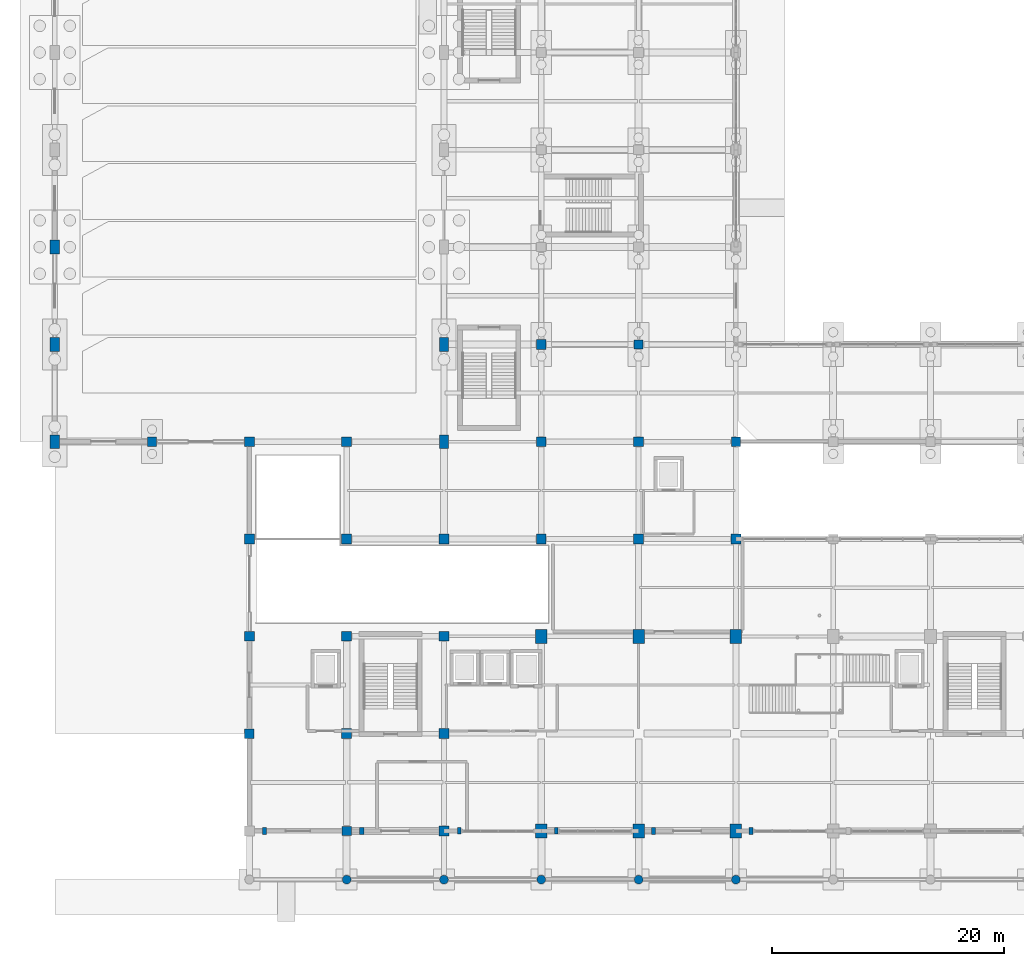
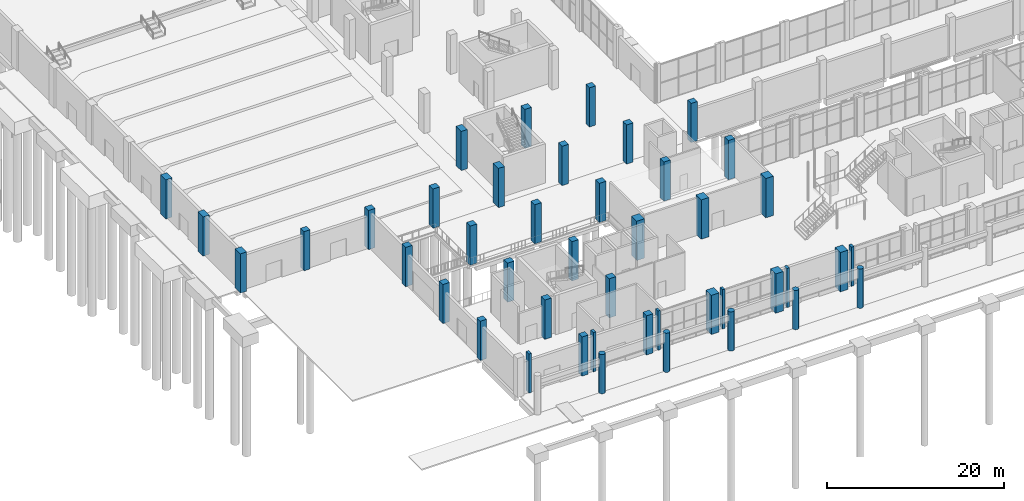
# One storey, part 7 of 82: 44 columns.
"""IFC4 building model written with IfcOpenShell, lengths in metres."""

from ifc_helpers import new_model, si_unit, derived_unit, direction, frame, origin, origin_2d, place, context, subcontext, project, spatial, rectangle, circle, extrude, material, material_profile, profile_set, type_object, element, save


model = new_model("IFC4")

# Units and contexts
model_context = context("Model", 3, precision=1e-05, world=origin(), true_north=direction((0.0, 1.0)))
body_context = subcontext(model_context, "Body", "Model", "MODEL_VIEW")
ifc_project = project(units=[si_unit("LENGTHUNIT", "METRE"), si_unit("AREAUNIT", "SQUARE_METRE"), si_unit("VOLUMEUNIT", "CUBIC_METRE"), si_unit("PLANEANGLEUNIT", "RADIAN"), si_unit("MASSUNIT", "GRAM", prefix="KILO"), derived_unit("THERMALTRANSMITTANCEUNIT", [(si_unit("POWERUNIT", "WATT"), 1), (si_unit("LENGTHUNIT", "METRE"), -2), (si_unit("THERMODYNAMICTEMPERATUREUNIT", "KELVIN"), -1)])], contexts=[model_context])

# Site, building, storey
site_placement = place(None, origin())
site = spatial("IfcSite", under=ifc_project, at=site_placement, CompositionType="ELEMENT")
building_placement = place(site_placement, origin())
building = spatial("IfcBuilding", under=site, at=building_placement, Name="Barrovel Congress Hotel", CompositionType="ELEMENT")
storey_placement = place(building_placement, origin())
storey = spatial("IfcBuildingStorey", under=building, at=storey_placement, Name="L00", CompositionType="ELEMENT", Elevation=0.0)

# Columns
ifc_material_1 = material(Name="Concrete C40", Category="concrete")
ifc_material_profile_1 = material_profile(ifc_material_1, circle(Radius=0.375, at=origin_2d()), Name="RC-D750")
ifc_profile_set_1 = profile_set([ifc_material_profile_1], Name="Concrete C40")
column_type_1 = type_object("IfcColumnType", Name="COL-RC-D750", PredefinedType="COLUMN", material=ifc_profile_set_1)
for number, where, z_axis, x_axis, name in (
    (1, (25.199951171875, 0.0, 0.0), (0.0, 0.0, 1.0), (1.0, 0.0, 0.0), "COL:L00:25.2:0.0"),
    (2, (33.60009765625, 0.0, 0.0), (0.0, 0.0, 1.0), (1.0, 0.0, 0.0), "COL:L00:33.6:0.0"),
    (3, (42.0, 0.0, 0.0), (0.0, 0.0, 1.0), (1.0, 0.0, 0.0), "COL:L00:42.0:0.0"),
    (4, (50.39990234375, 0.0, 0.0), (0.0, 0.0, 1.0), (1.0, 0.0, 0.0), "COL:L00:50.4:0.0"),
    (5, (58.800048828125, 0.0, 0.0), (0.0, 0.0, 1.0), (1.0, 0.0, 0.0), "COL:L00:58.8:0.0"),
):
    element("IfcColumn", number, at=place(storey_placement, frame(where, z_axis=z_axis, x_axis=x_axis)), inside=storey, type_object=column_type_1, Name=name, PredefinedType="COLUMN", context=body_context, shape_type="SweptSolid", body=[
        extrude(circle(Radius=0.375, at=origin_2d()), origin(), (0.0, 0.0, 1.0), 5.39990234375),
    ])
ifc_material_2 = material(Name="Concrete C50", Category="concrete")
ifc_material_profile_2 = material_profile(ifc_material_2, rectangle(XDim=1.0, YDim=1.199951171875, at=origin_2d()), Name="RC1000x1200")
ifc_profile_set_2 = profile_set([ifc_material_profile_2], Name="Concrete C50")
column_type_2 = type_object("IfcColumnType", Name="COL-RC1000x1200", PredefinedType="COLUMN", material=ifc_profile_set_2)
for number, where, z_axis, x_axis, name in (
    (6, (42.0, 4.199951171875, 0.0), (0.0, 0.0, 1.0), (1.0, 0.0, 0.0), "COL:L00:42.0:4.2"),
    (7, (42.0, 21.0, 0.0), (0.0, 0.0, 1.0), (1.0, 0.0, 0.0), "COL:L00:42.0:21.0"),
    (8, (50.39990234375, 4.199951171875, 0.0), (0.0, 0.0, 1.0), (1.0, 0.0, 0.0), "COL:L00:50.4:4.2"),
    (9, (50.39990234375, 21.0, 0.0), (0.0, 0.0, 1.0), (1.0, 0.0, 0.0), "COL:L00:50.4:21.0"),
    (10, (58.800048828125, 4.199951171875, 0.0), (0.0, 0.0, 1.0), (1.0, 0.0, 0.0), "COL:L00:58.8:4.2"),
    (11, (58.800048828125, 21.0, 0.0), (0.0, 0.0, 1.0), (1.0, 0.0, 0.0), "COL:L00:58.8:21.0"),
):
    element("IfcColumn", number, at=place(storey_placement, frame(where, z_axis=z_axis, x_axis=x_axis)), inside=storey, type_object=column_type_2, Name=name, PredefinedType="COLUMN", context=body_context, shape_type="SweptSolid", body=[
        extrude(rectangle(XDim=1.0, YDim=1.199951171875, at=origin_2d()), origin(), (0.0, 0.0, 1.0), 5.39990234375),
    ])
ifc_material_profile_3 = material_profile(ifc_material_1, rectangle(XDim=0.800048828125, YDim=1.199951171875, at=origin_2d()), Name="RC800x1200")
ifc_profile_set_3 = profile_set([ifc_material_profile_3], Name="Concrete C40")
column_type_3 = type_object("IfcColumnType", Name="COL-RC800x1200", PredefinedType="COLUMN", material=ifc_profile_set_3)
for number, where, z_axis, x_axis, name in (
    (12, (0.0, 37.800048828125, 0.0), (0.0, 0.0, 1.0), (1.0, 0.0, 0.0), "COL:L00:0.0:37.8"),
    (13, (0.0, 46.199951171875, 0.0), (0.0, 0.0, 1.0), (1.0, 0.0, 0.0), "COL:L00:0.0:46.2"),
    (14, (0.0, 54.60009765625, 0.0), (0.0, 0.0, 1.0), (1.0, 0.0, 0.0), "COL:L00:0.0:54.6"),
    (15, (33.60009765625, 37.800048828125, 0.0), (0.0, 0.0, 1.0), (1.0, 0.0, 0.0), "COL:L00:33.6:37.8"),
    (16, (33.60009765625, 46.199951171875, 0.0), (0.0, 0.0, 1.0), (1.0, 0.0, 0.0), "COL:L00:33.6:46.2"),
):
    element("IfcColumn", number, at=place(storey_placement, frame(where, z_axis=z_axis, x_axis=x_axis)), inside=storey, type_object=column_type_3, Name=name, PredefinedType="COLUMN", context=body_context, shape_type="SweptSolid", body=[
        extrude(rectangle(XDim=0.800048828125, YDim=1.199951171875, at=origin_2d()), origin(), (0.0, 0.0, 1.0), 5.39990234375),
    ])
ifc_material_profile_4 = material_profile(ifc_material_1, rectangle(XDim=0.800048828125, YDim=0.800048828125, at=origin_2d()), Name="RC800x800")
ifc_profile_set_4 = profile_set([ifc_material_profile_4], Name="Concrete C40")
column_type_4 = type_object("IfcColumnType", Name="COL-RC800x800", PredefinedType="COLUMN", material=ifc_profile_set_4)
for number, where, z_axis, x_axis, name in (
    (17, (8.39990234375, 37.800048828125, 0.0), (0.0, 0.0, 1.0), (1.0, 0.0, 0.0), "COL:L00:8.4:37.8"),
    (18, (16.800048828125, 12.60009765625, 0.0), (0.0, 0.0, 1.0), (1.0, 0.0, 0.0), "COL:L00:16.8:12.6"),
    (19, (25.199951171875, 4.199951171875, 0.0), (0.0, 0.0, 1.0), (1.0, 0.0, 0.0), "COL:L00:25.2:4.2"),
    (20, (50.39990234375, 46.199951171875, 0.0), (0.0, 0.0, 1.0), (1.0, 0.0, 0.0), "COL:L00:50.4:46.2"),
    (21, (58.800048828125, 37.800048828125, 0.0), (0.0, 0.0, 1.0), (1.0, 0.0, 0.0), "COL:L00:58.8:37.8"),
):
    element("IfcColumn", number, at=place(storey_placement, frame(where, z_axis=z_axis, x_axis=x_axis)), inside=storey, type_object=column_type_4, Name=name, PredefinedType="COLUMN", context=body_context, shape_type="SweptSolid", body=[
        extrude(rectangle(XDim=0.800048828125, YDim=0.800048828125, at=origin_2d()), origin(), (0.0, 0.0, 1.0), 5.39990234375),
    ])
ifc_material_profile_5 = material_profile(ifc_material_1, rectangle(XDim=0.85009765625, YDim=0.85009765625, at=origin_2d()), Name="RC850x850")
ifc_profile_set_5 = profile_set([ifc_material_profile_5], Name="Concrete C40")
column_type_5 = type_object("IfcColumnType", Name="COL-RC850x850", PredefinedType="COLUMN", material=ifc_profile_set_5)
for number, where, z_axis, x_axis, name in (
    (22, (16.800048828125, 21.0, 0.0), (0.0, 0.0, 1.0), (1.0, 0.0, 0.0), "COL:L00:16.8:21.0"),
    (23, (16.800048828125, 29.39990234375, 0.0), (0.0, 0.0, 1.0), (1.0, 0.0, 0.0), "COL:L00:16.8:29.4"),
    (24, (16.800048828125, 37.800048828125, 0.0), (0.0, 0.0, 1.0), (1.0, 0.0, 0.0), "COL:L00:16.8:37.8"),
    (25, (25.199951171875, 12.60009765625, 0.0), (0.0, 0.0, 1.0), (1.0, 0.0, 0.0), "COL:L00:25.2:12.6"),
    (26, (25.199951171875, 21.0, 0.0), (0.0, 0.0, 1.0), (1.0, 0.0, 0.0), "COL:L00:25.2:21.0"),
    (27, (25.199951171875, 29.39990234375, 0.0), (0.0, 0.0, 1.0), (1.0, 0.0, 0.0), "COL:L00:25.2:29.4"),
    (28, (25.199951171875, 37.800048828125, 0.0), (0.0, 0.0, 1.0), (1.0, 0.0, 0.0), "COL:L00:25.2:37.8"),
    (29, (33.60009765625, 4.199951171875, 0.0), (0.0, 0.0, 1.0), (1.0, 0.0, 0.0), "COL:L00:33.6:4.2"),
    (30, (33.60009765625, 12.60009765625, 0.0), (0.0, 0.0, 1.0), (1.0, 0.0, 0.0), "COL:L00:33.6:12.6"),
    (31, (33.60009765625, 21.0, 0.0), (0.0, 0.0, 1.0), (1.0, 0.0, 0.0), "COL:L00:33.6:21.0"),
    (32, (33.60009765625, 29.39990234375, 0.0), (0.0, 0.0, 1.0), (1.0, 0.0, 0.0), "COL:L00:33.6:29.4"),
    (33, (42.0, 29.39990234375, 0.0), (0.0, 0.0, 1.0), (1.0, 0.0, 0.0), "COL:L00:42.0:29.4"),
    (34, (42.0, 37.800048828125, 0.0), (0.0, 0.0, 1.0), (1.0, 0.0, 0.0), "COL:L00:42.0:37.8"),
    (35, (42.0, 46.199951171875, 0.0), (0.0, 0.0, 1.0), (1.0, 0.0, 0.0), "COL:L00:42.0:46.2"),
    (36, (50.39990234375, 29.39990234375, 0.0), (0.0, 0.0, 1.0), (1.0, 0.0, 0.0), "COL:L00:50.4:29.4"),
    (37, (50.39990234375, 37.800048828125, 0.0), (0.0, 0.0, 1.0), (1.0, 0.0, 0.0), "COL:L00:50.4:37.8"),
    (38, (58.800048828125, 29.39990234375, 0.0), (0.0, 0.0, 1.0), (1.0, 0.0, 0.0), "COL:L00:58.8:29.4"),
):
    element("IfcColumn", number, at=place(storey_placement, frame(where, z_axis=z_axis, x_axis=x_axis)), inside=storey, type_object=column_type_5, Name=name, PredefinedType="COLUMN", context=body_context, shape_type="SweptSolid", body=[
        extrude(rectangle(XDim=0.85009765625, YDim=0.85009765625, at=origin_2d()), origin(), (0.0, 0.0, 1.0), 5.39990234375),
    ])
ifc_material_profile_6 = material_profile(ifc_material_1, rectangle(XDim=0.300048828125, YDim=0.550048828125, at=origin_2d()), Name="RC300x550")
ifc_profile_set_6 = profile_set([ifc_material_profile_6], Name="Concrete C40")
column_type_6 = type_object("IfcColumnType", Name="PIL-RC300x550", PredefinedType="PILASTER", material=ifc_profile_set_6)
for number, where, z_axis, x_axis, name in (
    (39, (34.89990234375, 4.199951171875, 0.0), (0.0, 0.0, 1.0), (1.0, 0.0, 0.0), "PIL:L00:S:34.9"),
    (40, (43.300048828125, 4.199951171875, 0.0), (0.0, 0.0, 1.0), (1.0, 0.0, 0.0), "PIL:L00:S:43.3"),
):
    element("IfcColumn", number, at=place(storey_placement, frame(where, z_axis=z_axis, x_axis=x_axis)), inside=storey, type_object=column_type_6, Name=name, PredefinedType="PILASTER", context=body_context, shape_type="SweptSolid", body=[
        extrude(rectangle(XDim=0.300048828125, YDim=0.550048828125, at=origin_2d()), origin(), (0.0, 0.0, 1.0), 5.39990234375),
    ])
ifc_material_profile_7 = material_profile(ifc_material_1, rectangle(XDim=0.35009765625, YDim=0.60009765625, at=origin_2d()), Name="RC350x600")
ifc_profile_set_7 = profile_set([ifc_material_profile_7], Name="Concrete C40")
column_type_7 = type_object("IfcColumnType", Name="PIL-RC350x600", PredefinedType="PILASTER", material=ifc_profile_set_7)
for number, where, z_axis, x_axis, name in (
    (41, (18.10009765625, 4.199951171875, 0.0), (0.0, 0.0, 1.0), (1.0, 0.0, 0.0), "PIL:L00:S:18.1"),
    (42, (26.5, 4.199951171875, 0.0), (0.0, 0.0, 1.0), (1.0, 0.0, 0.0), "PIL:L00:S:26.5"),
    (43, (51.699951171875, 4.199951171875, 0.0), (0.0, 0.0, 1.0), (1.0, 0.0, 0.0), "PIL:L00:S:51.7"),
    (44, (60.10009765625, 4.199951171875, 0.0), (0.0, 0.0, 1.0), (1.0, 0.0, 0.0), "PIL:L00:S:60.1"),
):
    element("IfcColumn", number, at=place(storey_placement, frame(where, z_axis=z_axis, x_axis=x_axis)), inside=storey, type_object=column_type_7, Name=name, PredefinedType="PILASTER", context=body_context, shape_type="SweptSolid", body=[
        extrude(rectangle(XDim=0.35009765625, YDim=0.60009765625, at=origin_2d()), origin(), (0.0, 0.0, 1.0), 5.39990234375),
    ])

save(model, "model.ifc")
